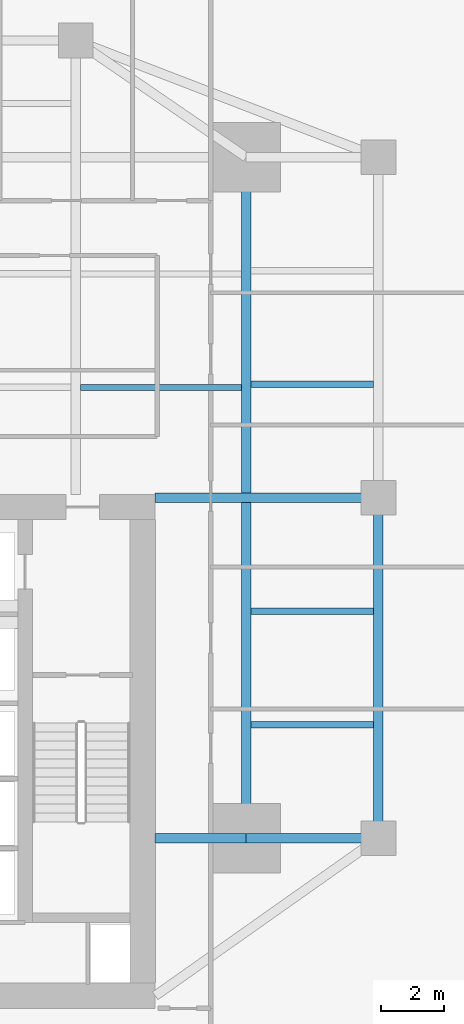
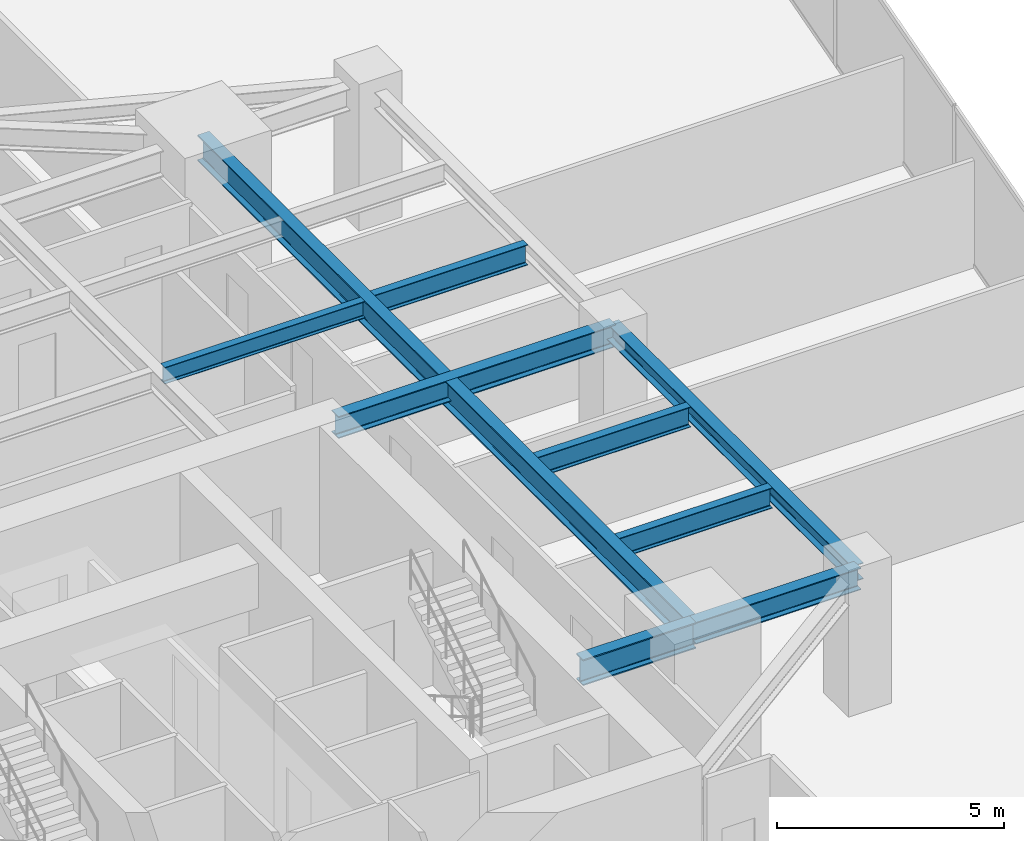
# One storey, part 13 of 29: 9 beams.
"""IFC4 building model written with IfcOpenShell, lengths in metres."""

from ifc_helpers import new_model, si_unit, direction, frame, origin, origin_2d, place, context, subcontext, project, spatial, i_section, extrude, source, transform, mapped, material, material_profile, profile_set, type_object, type_shapes, element, save


model = new_model("IFC4")

# Units and contexts
model_context = context("Model", 3, precision=1e-05, world=origin(), true_north=direction((0.0, 1.0)))
body_context = subcontext(model_context, "Body", "Model", "MODEL_VIEW")
ifc_project = project(units=[si_unit("LENGTHUNIT", "METRE"), si_unit("AREAUNIT", "SQUARE_METRE"), si_unit("VOLUMEUNIT", "CUBIC_METRE"), si_unit("PLANEANGLEUNIT", "RADIAN"), si_unit("MASSUNIT", "GRAM", prefix="KILO")], contexts=[model_context])

# Site, building, storey
site_placement = place(None, origin())
site = spatial("IfcSite", under=ifc_project, at=site_placement, CompositionType="ELEMENT")
building_placement = place(site_placement, origin())
building = spatial("IfcBuilding", under=site, at=building_placement, Name="Krantzveldt Concourse Tower", CompositionType="ELEMENT")
storey_placement = place(building_placement, frame((0.0, 0.0, 76.35009765625)))
storey = spatial("IfcBuildingStorey", under=building, at=storey_placement, Name="L18", CompositionType="ELEMENT", Elevation=76.35009765625)

# Beams
ifc_material_1 = material(Name="Steel S355J2", Category="steel")
ifc_material_profile_1 = material_profile(ifc_material_1, i_section(OverallWidth=0.300048828125, OverallDepth=0.699951171875, WebThickness=0.01708984375, FlangeThickness=0.031982421875, FilletRadius=0.027099609375, at=origin_2d()), Name="Steel S355J2", Category="steel")
ifc_profile_set_1 = profile_set([ifc_material_profile_1], Name="Steel S355J2 - HEB 700")
beam_type_1 = type_object("IfcBeamType", Name="BM-B-HEB700", PredefinedType="BEAM", material=ifc_profile_set_1)
shared_shape_1 = source(origin(), body_context, "Body", "SweptSolid", [
    extrude(i_section(OverallWidth=0.300048828125, OverallDepth=0.699951171875, WebThickness=0.01708984375, FlangeThickness=0.031982421875, FilletRadius=0.027099609375, at=origin_2d()), origin(), (0.0, 0.0, 1.0), 2.880126953125),
])
beam_1_placement = place(storey_placement, frame((43.919921875, 15.89990234375, 3.239990234375), z_axis=(1.0, 0.0, 0.0), x_axis=(0.0, 1.0, 0.0)))
element("IfcBeam", 1, at=beam_1_placement, inside=storey, type_object=beam_type_1, Name="L18 Tower Girder BG-CE1", PredefinedType="BEAM", context=body_context, shape_type="MappedRepresentation", body=[
    mapped(shared_shape_1, transform((0.0, 0.0, 0.0), x_axis=(1.0, 0.0, 0.0), y_axis=(0.0, 1.0, 0.0), z_axis=(0.0, 0.0, 1.0), scale=1.0)),
])
shared_shape_2 = source(origin(), body_context, "Body", "SweptSolid", [
    extrude(i_section(OverallWidth=0.300048828125, OverallDepth=0.699951171875, WebThickness=0.01708984375, FlangeThickness=0.031982421875, FilletRadius=0.027099609375, at=origin_2d()), origin(), (0.0, 0.0, 1.0), 21.60009765625),
])
type_shapes(beam_type_1, [shared_shape_1, shared_shape_2])
beam_2_placement = place(storey_placement, frame((46.800048828125, 15.89990234375, 3.239990234375), z_axis=(0.0, 1.0, 0.0), x_axis=(-1.0, 0.0, 0.0)))
element("IfcBeam", 2, at=beam_2_placement, inside=storey, type_object=beam_type_1, Name="L18 Tower Girder BG-ME", PredefinedType="BEAM", context=body_context, shape_type="MappedRepresentation", body=[
    mapped(shared_shape_2, transform((0.0, 0.0, 0.0), x_axis=(1.0, 0.0, 0.0), y_axis=(0.0, 1.0, 0.0), z_axis=(0.0, 0.0, 1.0), scale=1.0)),
])
ifc_material_2 = material(Name="Steel S355JR", Category="steel")
ifc_material_profile_2 = material_profile(ifc_material_2, i_section(OverallWidth=0.300048828125, OverallDepth=0.590087890625, WebThickness=0.012939453125, FlangeThickness=0.02490234375, FilletRadius=0.027099609375, at=origin_2d()), Name="Steel S355JR", Category="steel")
ifc_profile_set_2 = profile_set([ifc_material_profile_2], Name="Steel S355JR - HEA 600")
beam_type_2 = type_object("IfcBeamType", Name="BM-B-HEA600", PredefinedType="BEAM", material=ifc_profile_set_2)
shared_shape_3 = source(origin(), body_context, "Body", "SweptSolid", [
    extrude(i_section(OverallWidth=0.300048828125, OverallDepth=0.590087890625, WebThickness=0.012939453125, FlangeThickness=0.02490234375, FilletRadius=0.027099609375, at=origin_2d()), origin(), (0.0, 0.0, 1.0), 7.080078125),
])
beam_3_placement = place(storey_placement, frame((43.919921875, 26.699951171875, 3.294921875), z_axis=(1.0, 0.0, 0.0), x_axis=(0.0, 1.0, 0.0)))
element("IfcBeam", 3, at=beam_3_placement, inside=storey, type_object=beam_type_2, Name="L18 Tower Girder BG-CE2", PredefinedType="BEAM", context=body_context, shape_type="MappedRepresentation", body=[
    mapped(shared_shape_3, transform((0.0, 0.0, 0.0), x_axis=(1.0, 0.0, 0.0), y_axis=(0.0, 1.0, 0.0), z_axis=(0.0, 0.0, 1.0), scale=1.0)),
])
ifc_material_profile_3 = material_profile(ifc_material_2, i_section(OverallWidth=0.300048828125, OverallDepth=0.43994140625, WebThickness=0.011474609375, FlangeThickness=0.02099609375, FilletRadius=0.027099609375, at=origin_2d()), Name="Steel S355JR", Category="steel")
ifc_profile_set_3 = profile_set([ifc_material_profile_3], Name="Steel S355JR - HEA 450")
beam_type_3 = type_object("IfcBeamType", Name="BM-SP-HEA450", PredefinedType="SPANDREL", material=ifc_profile_set_3)
shared_shape_4 = source(origin(), body_context, "Body", "SweptSolid", [
    extrude(i_section(OverallWidth=0.300048828125, OverallDepth=0.43994140625, WebThickness=0.011474609375, FlangeThickness=0.02099609375, FilletRadius=0.027099609375, at=origin_2d()), origin(), (0.0, 0.0, 1.0), 10.800048828125),
])
type_shapes(beam_type_3, [shared_shape_4])
beam_4_placement = place(storey_placement, frame((51.0, 26.699951171875, 3.369873046875), z_axis=(0.0, -1.0, 0.0), x_axis=(1.0, 0.0, 0.0)))
element("IfcBeam", 4, at=beam_4_placement, inside=storey, type_object=beam_type_3, Name="L18 Tower Girder SP-R07", PredefinedType="SPANDREL", context=body_context, shape_type="MappedRepresentation", body=[
    mapped(shared_shape_4, transform((0.0, 0.0, 0.0), x_axis=(1.0, 0.0, 0.0), y_axis=(0.0, 1.0, 0.0), z_axis=(0.0, 0.0, 1.0), scale=1.0)),
])
shared_shape_5 = source(origin(), body_context, "Body", "SweptSolid", [
    extrude(i_section(OverallWidth=0.300048828125, OverallDepth=0.590087890625, WebThickness=0.012939453125, FlangeThickness=0.02490234375, FilletRadius=0.027099609375, at=origin_2d()), origin(), (0.0, 0.0, 1.0), 4.199951171875),
])
type_shapes(beam_type_2, [shared_shape_3, shared_shape_5])
beam_5_placement = place(storey_placement, frame((46.800048828125, 15.89990234375, 3.294921875), z_axis=(1.0, 0.0, 0.0), x_axis=(0.0, 1.0, 0.0)))
element("IfcBeam", 5, at=beam_5_placement, inside=storey, type_object=beam_type_2, Name="L18 Tower Girder BR-RR1", PredefinedType="BEAM", context=body_context, shape_type="MappedRepresentation", body=[
    mapped(shared_shape_5, transform((0.0, 0.0, 0.0), x_axis=(1.0, 0.0, 0.0), y_axis=(0.0, 1.0, 0.0), z_axis=(0.0, 0.0, 1.0), scale=1.0)),
])
ifc_material_profile_4 = material_profile(ifc_material_2, i_section(OverallWidth=0.18994140625, OverallDepth=0.449951171875, WebThickness=0.009521484375, FlangeThickness=0.0146484375, FilletRadius=0.02099609375, at=origin_2d()), Name="Steel S355JR", Category="steel")
ifc_profile_set_4 = profile_set([ifc_material_profile_4], Name="Steel S355JR - IPE 450")
beam_type_4 = type_object("IfcBeamType", Name="BM-J-IPE450", PredefinedType="JOIST", material=ifc_profile_set_4)
shared_shape_6 = source(origin(), body_context, "Body", "SweptSolid", [
    extrude(i_section(OverallWidth=0.18994140625, OverallDepth=0.449951171875, WebThickness=0.009521484375, FlangeThickness=0.0146484375, FilletRadius=0.02099609375, at=origin_2d()), origin(), (0.0, 0.0, 1.0), 5.099853515625),
])
type_shapes(beam_type_4, [shared_shape_6])
beam_6_placement = place(storey_placement, frame((41.550048828125, 30.199951171875, 3.364990234375), z_axis=(1.0, 0.0, 0.0), x_axis=(0.0, 1.0, 0.0)))
element("IfcBeam", 6, at=beam_6_placement, inside=storey, type_object=beam_type_4, Name="L18 Secondary Floor Joist JN-E1", PredefinedType="JOIST", context=body_context, shape_type="MappedRepresentation", body=[
    mapped(shared_shape_6, transform((0.0, 0.0, 0.0), x_axis=(1.0, 0.0, 0.0), y_axis=(0.0, 1.0, 0.0), z_axis=(0.0, 0.0, 1.0), scale=1.0)),
])
ifc_material_profile_5 = material_profile(ifc_material_2, i_section(OverallWidth=0.2099609375, OverallDepth=0.550048828125, WebThickness=0.010986328125, FlangeThickness=0.01708984375, FilletRadius=0.02392578125, at=origin_2d()), Name="Steel S355JR", Category="steel")
ifc_profile_set_5 = profile_set([ifc_material_profile_5], Name="Steel S355JR - IPE 550")
beam_type_5 = type_object("IfcBeamType", Name="BM-J-IPE550", PredefinedType="JOIST", material=ifc_profile_set_5)
shared_shape_7 = source(origin(), body_context, "Body", "SweptSolid", [
    extrude(i_section(OverallWidth=0.2099609375, OverallDepth=0.550048828125, WebThickness=0.010986328125, FlangeThickness=0.01708984375, FilletRadius=0.02392578125, at=origin_2d()), origin(), (0.0, 0.0, 1.0), 3.900146484375),
])
type_shapes(beam_type_5, [shared_shape_7])
for number, where, z_axis, x_axis, name in (
    (7, (46.949951171875, 19.5, 3.31494140625), (1.0, 0.0, 0.0), (0.0, 1.0, 0.0), "L18 Secondary Floor Joist JE-1"),
    (8, (46.949951171875, 23.10009765625, 3.31494140625), (1.0, 0.0, 0.0), (0.0, 1.0, 0.0), "L18 Secondary Floor Joist JE-2"),
    (9, (46.949951171875, 30.300048828125, 3.31494140625), (1.0, 0.0, 0.0), (0.0, 1.0, 0.0), "L18 Secondary Floor Joist JE-3"),
):
    element("IfcBeam", number, at=place(storey_placement, frame(where, z_axis=z_axis, x_axis=x_axis)), inside=storey, type_object=beam_type_5, Name=name, PredefinedType="JOIST", context=body_context, shape_type="MappedRepresentation", body=[
        mapped(shared_shape_7, transform((0.0, 0.0, 0.0), x_axis=(1.0, 0.0, 0.0), y_axis=(0.0, 1.0, 0.0), z_axis=(0.0, 0.0, 1.0), scale=1.0)),
    ])

save(model, "model.ifc")
